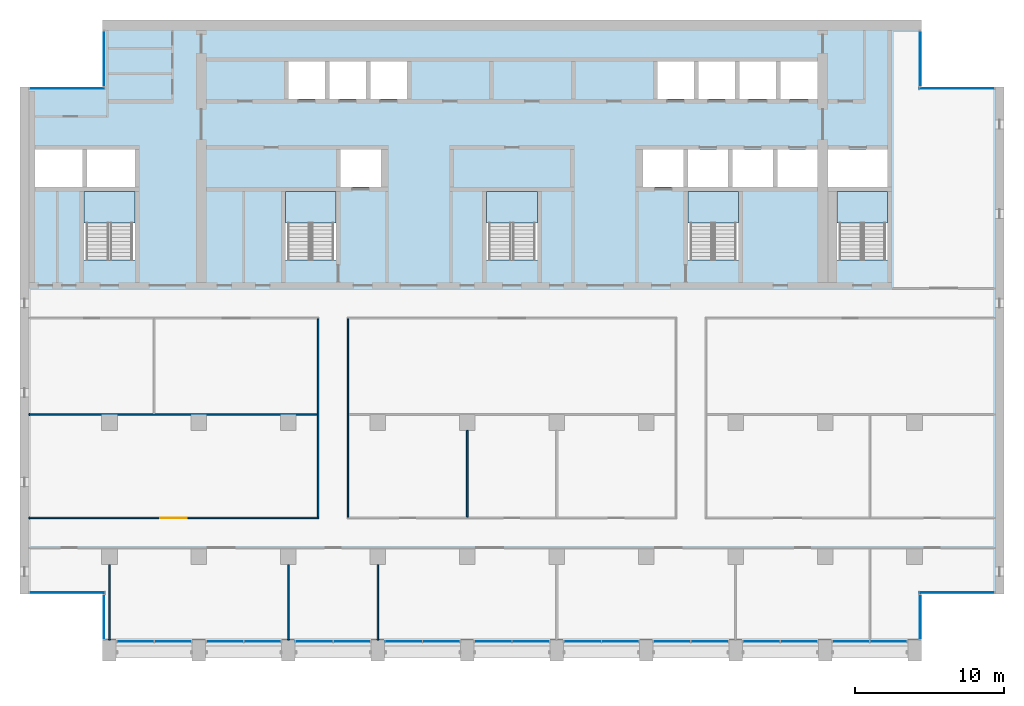
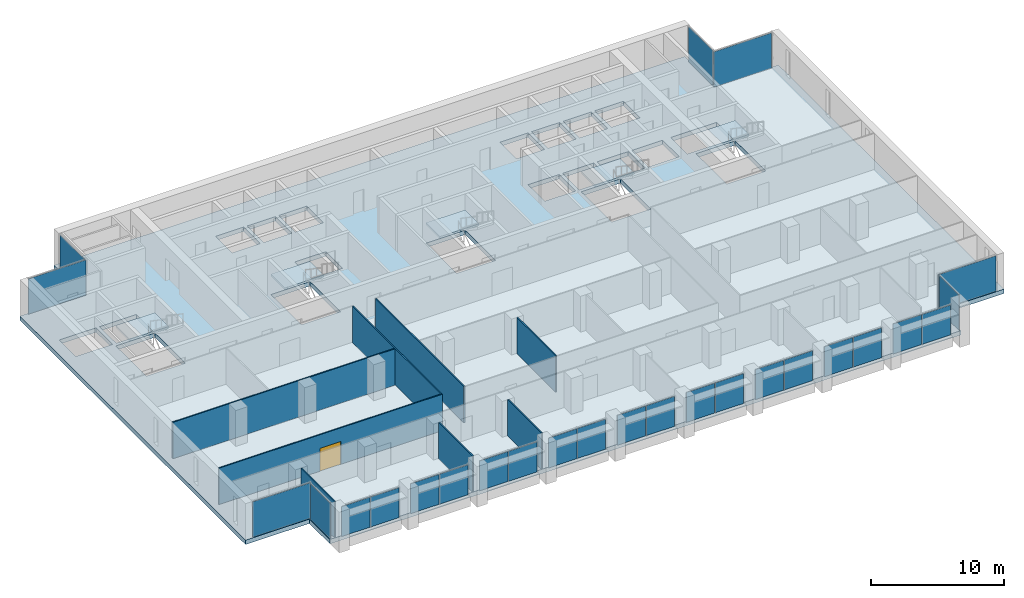
# One storey, part 7 of 17: 26 plates, 8 walls, 6 slabs, 1 door, 1 opening, 22 elements without a shape of their own.
"""IFC4 building model written with IfcOpenShell, lengths in metres."""

from ifc_helpers import new_model, si_unit, direction, frame, frame_2d, origin, origin_2d, place, context, subcontext, project, spatial, polyline, rectangle, outline, extrude, material, layer, layer_set, type_object, element, fill, aggregate, save


model = new_model("IFC4")

# Units and contexts
model_context = context("Model", 3, precision=1e-05, world=origin(), true_north=direction((0.0, 1.0)))
body_context = subcontext(model_context, "Body", "Model", "MODEL_VIEW")
ifc_project = project(units=[si_unit("LENGTHUNIT", "METRE"), si_unit("AREAUNIT", "SQUARE_METRE"), si_unit("VOLUMEUNIT", "CUBIC_METRE"), si_unit("PLANEANGLEUNIT", "RADIAN"), si_unit("MASSUNIT", "GRAM", prefix="KILO")], contexts=[model_context])

# Site, building, storey
site_placement = place(None, origin())
site = spatial("IfcSite", under=ifc_project, at=site_placement, CompositionType="ELEMENT")
building_placement = place(site_placement, origin())
building = spatial("IfcBuilding", under=site, at=building_placement, Name="Calvaro Tower", CompositionType="ELEMENT")
storey_placement = place(building_placement, frame((0.0, 0.0, 204.25)))
storey = spatial("IfcBuildingStorey", under=building, at=storey_placement, Name="L51", CompositionType="ELEMENT", Elevation=204.25)

# Slab
ifc_material_1 = material(Name="Concrete C40/50", Category="concrete")
ifc_layer_1 = layer(ifc_material_1, 0.39990234375)
ifc_layer_set_1 = layer_set([ifc_layer_1], Name="Concrete C40/50")
slab_type_1 = type_object("IfcSlabType", Name="Floor slab 400 C40/50", PredefinedType="FLOOR", material=ifc_layer_set_1)
slab_1_placement = place(storey_placement, frame((0.0, 0.0, -0.39990234375)))
element("IfcSlab", 1, at=slab_1_placement, inside=storey, type_object=slab_type_1, Name="Floor slab", PredefinedType="FLOOR", context=body_context, shape_type="SweptSolid", body=[
    extrude(outline(polyline([(66.449951171875, 7.5), (66.449951171875, 4.39990234375), (11.550048828125, 4.39990234375), (11.550048828125, 7.5), (6.0, 7.5), (6.0, 41.5), (11.550048828125, 41.5), (11.550048828125, 46.0), (66.449951171875, 46.0), (66.449951171875, 41.5), (72.0, 41.5), (72.0, 7.5), (66.449951171875, 7.5)]), holes=[polyline([(10.300048828125, 29.909912109375), (10.300048828125, 34.5), (12.0, 34.5), (13.699951171875, 34.5), (13.699951171875, 29.909912109375), (12.0, 29.909912109375), (10.300048828125, 29.909912109375)]), polyline([(23.800048828125, 29.909912109375), (23.800048828125, 34.5), (25.5, 34.5), (27.199951171875, 34.5), (27.199951171875, 29.909912109375), (25.5, 29.909912109375), (23.800048828125, 29.909912109375)]), polyline([(37.300048828125, 29.909912109375), (37.300048828125, 34.5), (39.0, 34.5), (40.699951171875, 34.5), (40.699951171875, 29.909912109375), (39.0, 29.909912109375), (37.300048828125, 29.909912109375)]), polyline([(50.800048828125, 29.909912109375), (50.800048828125, 34.5), (52.5, 34.5), (54.199951171875, 34.5), (54.199951171875, 29.909912109375), (52.5, 29.909912109375), (50.800048828125, 29.909912109375)]), polyline([(60.800048828125, 29.909912109375), (60.800048828125, 34.5), (62.5, 34.5), (64.199951171875, 34.5), (64.199951171875, 29.909912109375), (62.5, 29.909912109375), (60.800048828125, 29.909912109375)]), polyline([(50.800048828125, 34.800048828125), (53.5, 34.800048828125), (53.5, 37.300048828125), (50.800048828125, 37.300048828125), (50.800048828125, 34.800048828125)]), polyline([(53.800048828125, 34.800048828125), (56.5, 34.800048828125), (56.5, 37.300048828125), (53.800048828125, 37.300048828125), (53.800048828125, 34.800048828125)]), polyline([(56.800048828125, 34.800048828125), (59.5, 34.800048828125), (59.5, 37.300048828125), (56.800048828125, 37.300048828125), (56.800048828125, 34.800048828125)]), polyline([(24.0, 40.699951171875), (26.449951171875, 40.699951171875), (26.449951171875, 43.199951171875), (24.0, 43.199951171875), (24.0, 40.699951171875)]), polyline([(26.75, 40.699951171875), (29.199951171875, 40.699951171875), (29.199951171875, 43.199951171875), (26.75, 43.199951171875), (26.75, 40.699951171875)]), polyline([(29.5, 40.699951171875), (31.949951171875, 40.699951171875), (31.949951171875, 43.199951171875), (29.5, 43.199951171875), (29.5, 40.699951171875)]), polyline([(48.75, 40.699951171875), (51.199951171875, 40.699951171875), (51.199951171875, 43.199951171875), (48.75, 43.199951171875), (48.75, 40.699951171875)]), polyline([(51.5, 40.699951171875), (53.949951171875, 40.699951171875), (53.949951171875, 43.199951171875), (51.5, 43.199951171875), (51.5, 40.699951171875)]), polyline([(54.25, 40.699951171875), (56.699951171875, 40.699951171875), (56.699951171875, 43.199951171875), (54.25, 43.199951171875), (54.25, 40.699951171875)]), polyline([(57.0, 40.699951171875), (59.5, 40.699951171875), (59.5, 43.199951171875), (57.0, 43.199951171875), (57.0, 40.699951171875)]), polyline([(7.0, 34.800048828125), (10.199951171875, 34.800048828125), (10.199951171875, 37.300048828125), (7.0, 37.300048828125), (7.0, 34.800048828125)]), polyline([(10.5, 34.800048828125), (13.699951171875, 34.800048828125), (13.699951171875, 37.300048828125), (10.5, 37.300048828125), (10.5, 34.800048828125)]), polyline([(60.199951171875, 34.800048828125), (64.199951171875, 34.800048828125), (64.199951171875, 37.300048828125), (60.199951171875, 37.300048828125), (60.199951171875, 34.800048828125)]), polyline([(27.5, 34.800048828125), (30.199951171875, 34.800048828125), (30.199951171875, 37.300048828125), (27.5, 37.300048828125), (27.5, 34.800048828125)]), polyline([(47.800048828125, 34.800048828125), (50.5, 34.800048828125), (50.5, 37.300048828125), (47.800048828125, 37.300048828125), (47.800048828125, 34.800048828125)])]), origin(), (0.0, 0.0, 1.0), 0.39990234375),
])

# Curtain wall, plates
ifc_material_2 = material(Name="Anodised aluminium", Category="aluminium")
curtain_wall_type = type_object("IfcCurtainWallType", Name="Office curtain wall, upper zone", PredefinedType="NOTDEFINED", material=ifc_material_2)
curtain_wall_1_placement = place(storey_placement, origin())
curtain_wall_1 = element("IfcCurtainWall", 2, at=curtain_wall_1_placement, inside=storey, type_object=curtain_wall_type, Name="CW3 south curtain wall", PredefinedType="NOTDEFINED")
ifc_material_3 = material(Name="Glass", Category="glass")
ifc_layer_2 = layer(ifc_material_3, 0.035888671875)
ifc_layer_set_2 = layer_set([ifc_layer_2], Name="Glass")
plate_type = type_object("IfcPlateType", Name="Glass panel S3 36", PredefinedType="CURTAIN_PANEL", material=ifc_layer_set_2)
plate_1_placement = place(storey_placement, frame((13.739990234375, 4.31005859375, 0.0), z_axis=(0.0, 0.0, 1.0), x_axis=(1.0, 0.0, 0.0)))
plate_1 = element("IfcPlate", 3, at=plate_1_placement, type_object=plate_type, Name="CW3 glass panel 1.1", PredefinedType="CURTAIN_PANEL", context=body_context, shape_type="SweptSolid", body=[
    extrude(rectangle(XDim=2.4599609375, YDim=0.035888671875, at=origin_2d()), origin(), (0.0, 0.0, 1.0), 2.75),
])
plate_2_placement = place(storey_placement, frame((16.260009765625, 4.31005859375, 0.0), z_axis=(0.0, 0.0, 1.0), x_axis=(1.0, 0.0, 0.0)))
plate_2 = element("IfcPlate", 4, at=plate_2_placement, type_object=plate_type, Name="CW3 glass panel 2.1", PredefinedType="CURTAIN_PANEL", context=body_context, shape_type="SweptSolid", body=[
    extrude(rectangle(XDim=2.4599609375, YDim=0.035888671875, at=origin_2d()), origin(), (0.0, 0.0, 1.0), 2.75),
])
aggregate(curtain_wall_1, [plate_1, plate_2])

curtain_wall_2_placement = place(storey_placement, origin())
curtain_wall_2 = element("IfcCurtainWall", 5, at=curtain_wall_2_placement, inside=storey, type_object=curtain_wall_type, Name="CW3 south curtain wall", PredefinedType="NOTDEFINED")
plate_3_placement = place(storey_placement, frame((19.739990234375, 4.31005859375, 0.0), z_axis=(0.0, 0.0, 1.0), x_axis=(1.0, 0.0, 0.0)))
plate_3 = element("IfcPlate", 6, at=plate_3_placement, type_object=plate_type, Name="CW3 glass panel 1.1", PredefinedType="CURTAIN_PANEL", context=body_context, shape_type="SweptSolid", body=[
    extrude(rectangle(XDim=2.4599609375, YDim=0.035888671875, at=origin_2d()), origin(), (0.0, 0.0, 1.0), 2.75),
])
plate_4_placement = place(storey_placement, frame((22.260009765625, 4.31005859375, 0.0), z_axis=(0.0, 0.0, 1.0), x_axis=(1.0, 0.0, 0.0)))
plate_4 = element("IfcPlate", 7, at=plate_4_placement, type_object=plate_type, Name="CW3 glass panel 2.1", PredefinedType="CURTAIN_PANEL", context=body_context, shape_type="SweptSolid", body=[
    extrude(rectangle(XDim=2.4599609375, YDim=0.035888671875, at=origin_2d()), origin(), (0.0, 0.0, 1.0), 2.75),
])
aggregate(curtain_wall_2, [plate_3, plate_4])

curtain_wall_3_placement = place(storey_placement, origin())
curtain_wall_3 = element("IfcCurtainWall", 8, at=curtain_wall_3_placement, inside=storey, type_object=curtain_wall_type, Name="CW3 south curtain wall", PredefinedType="NOTDEFINED")
plate_5_placement = place(storey_placement, frame((25.739990234375, 4.31005859375, 0.0), z_axis=(0.0, 0.0, 1.0), x_axis=(1.0, 0.0, 0.0)))
plate_5 = element("IfcPlate", 9, at=plate_5_placement, type_object=plate_type, Name="CW3 glass panel 1.1", PredefinedType="CURTAIN_PANEL", context=body_context, shape_type="SweptSolid", body=[
    extrude(rectangle(XDim=2.4599609375, YDim=0.035888671875, at=origin_2d()), origin(), (0.0, 0.0, 1.0), 2.75),
])
plate_6_placement = place(storey_placement, frame((28.260009765625, 4.31005859375, 0.0), z_axis=(0.0, 0.0, 1.0), x_axis=(1.0, 0.0, 0.0)))
plate_6 = element("IfcPlate", 10, at=plate_6_placement, type_object=plate_type, Name="CW3 glass panel 2.1", PredefinedType="CURTAIN_PANEL", context=body_context, shape_type="SweptSolid", body=[
    extrude(rectangle(XDim=2.4599609375, YDim=0.035888671875, at=origin_2d()), origin(), (0.0, 0.0, 1.0), 2.75),
])
aggregate(curtain_wall_3, [plate_5, plate_6])

curtain_wall_4_placement = place(storey_placement, origin())
curtain_wall_4 = element("IfcCurtainWall", 11, at=curtain_wall_4_placement, inside=storey, type_object=curtain_wall_type, Name="CW3 south curtain wall", PredefinedType="NOTDEFINED")
plate_7_placement = place(storey_placement, frame((31.739990234375, 4.31005859375, 0.0), z_axis=(0.0, 0.0, 1.0), x_axis=(1.0, 0.0, 0.0)))
plate_7 = element("IfcPlate", 12, at=plate_7_placement, type_object=plate_type, Name="CW3 glass panel 1.1", PredefinedType="CURTAIN_PANEL", context=body_context, shape_type="SweptSolid", body=[
    extrude(rectangle(XDim=2.4599609375, YDim=0.035888671875, at=origin_2d()), origin(), (0.0, 0.0, 1.0), 2.75),
])
plate_8_placement = place(storey_placement, frame((34.260009765625, 4.31005859375, 0.0), z_axis=(0.0, 0.0, 1.0), x_axis=(1.0, 0.0, 0.0)))
plate_8 = element("IfcPlate", 13, at=plate_8_placement, type_object=plate_type, Name="CW3 glass panel 2.1", PredefinedType="CURTAIN_PANEL", context=body_context, shape_type="SweptSolid", body=[
    extrude(rectangle(XDim=2.4599609375, YDim=0.035888671875, at=origin_2d()), origin(), (0.0, 0.0, 1.0), 2.75),
])
aggregate(curtain_wall_4, [plate_7, plate_8])

curtain_wall_5_placement = place(storey_placement, origin())
curtain_wall_5 = element("IfcCurtainWall", 14, at=curtain_wall_5_placement, inside=storey, type_object=curtain_wall_type, Name="CW3 south curtain wall", PredefinedType="NOTDEFINED")
plate_9_placement = place(storey_placement, frame((37.739990234375, 4.31005859375, 0.0), z_axis=(0.0, 0.0, 1.0), x_axis=(1.0, 0.0, 0.0)))
plate_9 = element("IfcPlate", 15, at=plate_9_placement, type_object=plate_type, Name="CW3 glass panel 1.1", PredefinedType="CURTAIN_PANEL", context=body_context, shape_type="SweptSolid", body=[
    extrude(rectangle(XDim=2.4599609375, YDim=0.035888671875, at=origin_2d()), origin(), (0.0, 0.0, 1.0), 2.75),
])
plate_10_placement = place(storey_placement, frame((40.260009765625, 4.31005859375, 0.0), z_axis=(0.0, 0.0, 1.0), x_axis=(1.0, 0.0, 0.0)))
plate_10 = element("IfcPlate", 16, at=plate_10_placement, type_object=plate_type, Name="CW3 glass panel 2.1", PredefinedType="CURTAIN_PANEL", context=body_context, shape_type="SweptSolid", body=[
    extrude(rectangle(XDim=2.4599609375, YDim=0.035888671875, at=origin_2d()), origin(), (0.0, 0.0, 1.0), 2.75),
])
aggregate(curtain_wall_5, [plate_9, plate_10])

curtain_wall_6_placement = place(storey_placement, origin())
curtain_wall_6 = element("IfcCurtainWall", 17, at=curtain_wall_6_placement, inside=storey, type_object=curtain_wall_type, Name="CW3 south curtain wall", PredefinedType="NOTDEFINED")
plate_11_placement = place(storey_placement, frame((43.739990234375, 4.31005859375, 0.0), z_axis=(0.0, 0.0, 1.0), x_axis=(1.0, 0.0, 0.0)))
plate_11 = element("IfcPlate", 18, at=plate_11_placement, type_object=plate_type, Name="CW3 glass panel 1.1", PredefinedType="CURTAIN_PANEL", context=body_context, shape_type="SweptSolid", body=[
    extrude(rectangle(XDim=2.4599609375, YDim=0.035888671875, at=origin_2d()), origin(), (0.0, 0.0, 1.0), 2.75),
])
plate_12_placement = place(storey_placement, frame((46.260009765625, 4.31005859375, 0.0), z_axis=(0.0, 0.0, 1.0), x_axis=(1.0, 0.0, 0.0)))
plate_12 = element("IfcPlate", 19, at=plate_12_placement, type_object=plate_type, Name="CW3 glass panel 2.1", PredefinedType="CURTAIN_PANEL", context=body_context, shape_type="SweptSolid", body=[
    extrude(rectangle(XDim=2.4599609375, YDim=0.035888671875, at=origin_2d()), origin(), (0.0, 0.0, 1.0), 2.75),
])
aggregate(curtain_wall_6, [plate_11, plate_12])

curtain_wall_7_placement = place(storey_placement, origin())
curtain_wall_7 = element("IfcCurtainWall", 20, at=curtain_wall_7_placement, inside=storey, type_object=curtain_wall_type, Name="CW3 south curtain wall", PredefinedType="NOTDEFINED")
plate_13_placement = place(storey_placement, frame((49.739990234375, 4.31005859375, 0.0), z_axis=(0.0, 0.0, 1.0), x_axis=(1.0, 0.0, 0.0)))
plate_13 = element("IfcPlate", 21, at=plate_13_placement, type_object=plate_type, Name="CW3 glass panel 1.1", PredefinedType="CURTAIN_PANEL", context=body_context, shape_type="SweptSolid", body=[
    extrude(rectangle(XDim=2.4599609375, YDim=0.035888671875, at=origin_2d()), origin(), (0.0, 0.0, 1.0), 2.75),
])
plate_14_placement = place(storey_placement, frame((52.260009765625, 4.31005859375, 0.0), z_axis=(0.0, 0.0, 1.0), x_axis=(1.0, 0.0, 0.0)))
plate_14 = element("IfcPlate", 22, at=plate_14_placement, type_object=plate_type, Name="CW3 glass panel 2.1", PredefinedType="CURTAIN_PANEL", context=body_context, shape_type="SweptSolid", body=[
    extrude(rectangle(XDim=2.4599609375, YDim=0.035888671875, at=origin_2d()), origin(), (0.0, 0.0, 1.0), 2.75),
])
aggregate(curtain_wall_7, [plate_13, plate_14])

curtain_wall_8_placement = place(storey_placement, origin())
curtain_wall_8 = element("IfcCurtainWall", 23, at=curtain_wall_8_placement, inside=storey, type_object=curtain_wall_type, Name="CW3 south curtain wall", PredefinedType="NOTDEFINED")
plate_15_placement = place(storey_placement, frame((55.739990234375, 4.31005859375, 0.0), z_axis=(0.0, 0.0, 1.0), x_axis=(1.0, 0.0, 0.0)))
plate_15 = element("IfcPlate", 24, at=plate_15_placement, type_object=plate_type, Name="CW3 glass panel 1.1", PredefinedType="CURTAIN_PANEL", context=body_context, shape_type="SweptSolid", body=[
    extrude(rectangle(XDim=2.4599609375, YDim=0.035888671875, at=origin_2d()), origin(), (0.0, 0.0, 1.0), 2.75),
])
plate_16_placement = place(storey_placement, frame((58.260009765625, 4.31005859375, 0.0), z_axis=(0.0, 0.0, 1.0), x_axis=(1.0, 0.0, 0.0)))
plate_16 = element("IfcPlate", 25, at=plate_16_placement, type_object=plate_type, Name="CW3 glass panel 2.1", PredefinedType="CURTAIN_PANEL", context=body_context, shape_type="SweptSolid", body=[
    extrude(rectangle(XDim=2.4599609375, YDim=0.035888671875, at=origin_2d()), origin(), (0.0, 0.0, 1.0), 2.75),
])
aggregate(curtain_wall_8, [plate_15, plate_16])

curtain_wall_9_placement = place(storey_placement, origin())
curtain_wall_9 = element("IfcCurtainWall", 26, at=curtain_wall_9_placement, inside=storey, type_object=curtain_wall_type, Name="CW3 south curtain wall", PredefinedType="NOTDEFINED")
plate_17_placement = place(storey_placement, frame((61.739990234375, 4.31005859375, 0.0), z_axis=(0.0, 0.0, 1.0), x_axis=(1.0, 0.0, 0.0)))
plate_17 = element("IfcPlate", 27, at=plate_17_placement, type_object=plate_type, Name="CW3 glass panel 1.1", PredefinedType="CURTAIN_PANEL", context=body_context, shape_type="SweptSolid", body=[
    extrude(rectangle(XDim=2.4599609375, YDim=0.035888671875, at=origin_2d()), origin(), (0.0, 0.0, 1.0), 2.75),
])
plate_18_placement = place(storey_placement, frame((64.260009765625, 4.31005859375, 0.0), z_axis=(0.0, 0.0, 1.0), x_axis=(1.0, 0.0, 0.0)))
plate_18 = element("IfcPlate", 28, at=plate_18_placement, type_object=plate_type, Name="CW3 glass panel 2.1", PredefinedType="CURTAIN_PANEL", context=body_context, shape_type="SweptSolid", body=[
    extrude(rectangle(XDim=2.4599609375, YDim=0.035888671875, at=origin_2d()), origin(), (0.0, 0.0, 1.0), 2.75),
])
aggregate(curtain_wall_9, [plate_17, plate_18])

# Curtain wall, plate
curtain_wall_10_placement = place(storey_placement, origin())
curtain_wall_10 = element("IfcCurtainWall", 29, at=curtain_wall_10_placement, inside=storey, type_object=curtain_wall_type, Name="CW3 corner curtain wall", PredefinedType="NOTDEFINED")
plate_19_placement = place(storey_placement, frame((11.639892578125, 5.949951171875, 0.0), z_axis=(0.0, 0.0, 1.0), x_axis=(0.0, 1.0, 0.0)))
plate_19 = element("IfcPlate", 30, at=plate_19_placement, type_object=plate_type, Name="CW3 glass panel 1.1", PredefinedType="CURTAIN_PANEL", context=body_context, shape_type="SweptSolid", body=[
    extrude(rectangle(XDim=2.97998046875, YDim=0.035888671875, at=origin_2d()), origin(), (0.0, 0.0, 1.0), 3.25),
])
aggregate(curtain_wall_10, [plate_19])

curtain_wall_11_placement = place(storey_placement, origin())
curtain_wall_11 = element("IfcCurtainWall", 31, at=curtain_wall_11_placement, inside=storey, type_object=curtain_wall_type, Name="CW3 corner curtain wall", PredefinedType="NOTDEFINED")
plate_20_placement = place(storey_placement, frame((9.1650390625, 7.590087890625, 0.0), z_axis=(0.0, 0.0, 1.0), x_axis=(1.0, 0.0, 0.0)))
plate_20 = element("IfcPlate", 32, at=plate_20_placement, type_object=plate_type, Name="CW3 glass panel 1.1", PredefinedType="CURTAIN_PANEL", context=body_context, shape_type="SweptSolid", body=[
    extrude(rectangle(XDim=5.010009765625, YDim=0.035888671875, at=origin_2d()), origin(), (0.0, 0.0, 1.0), 3.25),
])
aggregate(curtain_wall_11, [plate_20])

curtain_wall_12_placement = place(storey_placement, origin())
curtain_wall_12 = element("IfcCurtainWall", 33, at=curtain_wall_12_placement, inside=storey, type_object=curtain_wall_type, Name="CW3 corner curtain wall", PredefinedType="NOTDEFINED")
plate_21_placement = place(storey_placement, frame((11.639892578125, 43.39990234375, 0.0), z_axis=(0.0, 0.0, 1.0), x_axis=(0.0, 1.0, 0.0)))
plate_21 = element("IfcPlate", 34, at=plate_21_placement, type_object=plate_type, Name="CW3 glass panel 1.1", PredefinedType="CURTAIN_PANEL", context=body_context, shape_type="SweptSolid", body=[
    extrude(rectangle(XDim=3.679931640625, YDim=0.035888671875, at=origin_2d()), origin(), (0.0, 0.0, 1.0), 3.25),
])
aggregate(curtain_wall_12, [plate_21])

curtain_wall_13_placement = place(storey_placement, origin())
curtain_wall_13 = element("IfcCurtainWall", 35, at=curtain_wall_13_placement, inside=storey, type_object=curtain_wall_type, Name="CW3 corner curtain wall", PredefinedType="NOTDEFINED")
plate_22_placement = place(storey_placement, frame((9.1650390625, 41.409912109375, 0.0), z_axis=(0.0, 0.0, 1.0), x_axis=(1.0, 0.0, 0.0)))
plate_22 = element("IfcPlate", 36, at=plate_22_placement, type_object=plate_type, Name="CW3 glass panel 1.1", PredefinedType="CURTAIN_PANEL", context=body_context, shape_type="SweptSolid", body=[
    extrude(rectangle(XDim=5.010009765625, YDim=0.035888671875, at=origin_2d()), origin(), (0.0, 0.0, 1.0), 3.25),
])
aggregate(curtain_wall_13, [plate_22])

curtain_wall_14_placement = place(storey_placement, origin())
curtain_wall_14 = element("IfcCurtainWall", 37, at=curtain_wall_14_placement, inside=storey, type_object=curtain_wall_type, Name="CW3 corner curtain wall", PredefinedType="NOTDEFINED")
plate_23_placement = place(storey_placement, frame((66.360107421875, 5.949951171875, 0.0), z_axis=(0.0, 0.0, 1.0), x_axis=(0.0, 1.0, 0.0)))
plate_23 = element("IfcPlate", 38, at=plate_23_placement, type_object=plate_type, Name="CW3 glass panel 1.1", PredefinedType="CURTAIN_PANEL", context=body_context, shape_type="SweptSolid", body=[
    extrude(rectangle(XDim=2.97998046875, YDim=0.035888671875, at=origin_2d()), origin(), (0.0, 0.0, 1.0), 3.25),
])
aggregate(curtain_wall_14, [plate_23])

curtain_wall_15_placement = place(storey_placement, origin())
curtain_wall_15 = element("IfcCurtainWall", 39, at=curtain_wall_15_placement, inside=storey, type_object=curtain_wall_type, Name="CW3 corner curtain wall", PredefinedType="NOTDEFINED")
plate_24_placement = place(storey_placement, frame((68.8349609375, 7.590087890625, 0.0), z_axis=(0.0, 0.0, 1.0), x_axis=(1.0, 0.0, 0.0)))
plate_24 = element("IfcPlate", 40, at=plate_24_placement, type_object=plate_type, Name="CW3 glass panel 1.1", PredefinedType="CURTAIN_PANEL", context=body_context, shape_type="SweptSolid", body=[
    extrude(rectangle(XDim=5.010009765625, YDim=0.035888671875, at=origin_2d()), origin(), (0.0, 0.0, 1.0), 3.25),
])
aggregate(curtain_wall_15, [plate_24])

curtain_wall_16_placement = place(storey_placement, origin())
curtain_wall_16 = element("IfcCurtainWall", 41, at=curtain_wall_16_placement, inside=storey, type_object=curtain_wall_type, Name="CW3 corner curtain wall", PredefinedType="NOTDEFINED")
plate_25_placement = place(storey_placement, frame((66.360107421875, 43.39990234375, 0.0), z_axis=(0.0, 0.0, 1.0), x_axis=(0.0, 1.0, 0.0)))
plate_25 = element("IfcPlate", 42, at=plate_25_placement, type_object=plate_type, Name="CW3 glass panel 1.1", PredefinedType="CURTAIN_PANEL", context=body_context, shape_type="SweptSolid", body=[
    extrude(rectangle(XDim=3.679931640625, YDim=0.035888671875, at=origin_2d()), origin(), (0.0, 0.0, 1.0), 3.25),
])
aggregate(curtain_wall_16, [plate_25])

curtain_wall_17_placement = place(storey_placement, origin())
curtain_wall_17 = element("IfcCurtainWall", 43, at=curtain_wall_17_placement, inside=storey, type_object=curtain_wall_type, Name="CW3 corner curtain wall", PredefinedType="NOTDEFINED")
plate_26_placement = place(storey_placement, frame((68.8349609375, 41.409912109375, 0.0), z_axis=(0.0, 0.0, 1.0), x_axis=(1.0, 0.0, 0.0)))
plate_26 = element("IfcPlate", 44, at=plate_26_placement, type_object=plate_type, Name="CW3 glass panel 1.1", PredefinedType="CURTAIN_PANEL", context=body_context, shape_type="SweptSolid", body=[
    extrude(rectangle(XDim=5.010009765625, YDim=0.035888671875, at=origin_2d()), origin(), (0.0, 0.0, 1.0), 3.25),
])
aggregate(curtain_wall_17, [plate_26])

# Stair, slab
ifc_material_4 = material(Name="Concrete C40/50", Category="concrete")
stair_type = type_object("IfcStairType", Name="Exit stair 1400 2 flights", PredefinedType="HALF_TURN_STAIR", material=ifc_material_4)
stair_1_placement = place(storey_placement, origin())
stair_1 = element("IfcStair", 45, at=stair_1_placement, inside=storey, type_object=stair_type, Name="Exit stair S1", PredefinedType="HALF_TURN_STAIR")
ifc_material_5 = material(Name="Concrete C40/50", Category="concrete")
ifc_layer_3 = layer(ifc_material_5, 0.199951171875)
ifc_layer_set_3 = layer_set([ifc_layer_3], Name="Concrete C40/50")
slab_type_2 = type_object("IfcSlabType", Name="Stair landing", PredefinedType="LANDING", material=ifc_layer_set_3)
slab_2_placement = place(storey_placement, frame((0.0, 0.0, 1.675048828125)))
slab_2 = element("IfcSlab", 46, at=slab_2_placement, type_object=slab_type_2, Name="Exit stair 1, landing 1", PredefinedType="LANDING", context=body_context, shape_type="SweptSolid", body=[
    extrude(outline(polyline([(11.89990234375, 32.389892578125), (10.5, 32.389892578125), (10.5, 32.39990234375), (10.300048828125, 32.39990234375), (10.300048828125, 34.5), (10.5, 34.5), (11.89990234375, 34.5), (12.10009765625, 34.5), (13.5, 34.5), (13.699951171875, 34.5), (13.699951171875, 32.39990234375), (13.5, 32.39990234375), (13.5, 32.389892578125), (12.10009765625, 32.389892578125), (12.10009765625, 32.39990234375), (11.89990234375, 32.39990234375), (11.89990234375, 32.389892578125)])), origin(), (0.0, 0.0, 1.0), 0.199951171875),
])
aggregate(stair_1, [slab_2])

stair_2_placement = place(storey_placement, origin())
stair_2 = element("IfcStair", 47, at=stair_2_placement, inside=storey, type_object=stair_type, Name="Exit stair S2", PredefinedType="HALF_TURN_STAIR")
slab_3_placement = place(storey_placement, frame((0.0, 0.0, 1.675048828125)))
slab_3 = element("IfcSlab", 48, at=slab_3_placement, type_object=slab_type_2, Name="Exit stair 2, landing 1", PredefinedType="LANDING", context=body_context, shape_type="SweptSolid", body=[
    extrude(outline(polyline([(25.39990234375, 32.389892578125), (24.0, 32.389892578125), (24.0, 32.39990234375), (23.800048828125, 32.39990234375), (23.800048828125, 34.5), (24.0, 34.5), (25.39990234375, 34.5), (25.60009765625, 34.5), (27.0, 34.5), (27.199951171875, 34.5), (27.199951171875, 32.39990234375), (27.0, 32.39990234375), (27.0, 32.389892578125), (25.60009765625, 32.389892578125), (25.60009765625, 32.39990234375), (25.39990234375, 32.39990234375), (25.39990234375, 32.389892578125)])), origin(), (0.0, 0.0, 1.0), 0.199951171875),
])
aggregate(stair_2, [slab_3])

stair_3_placement = place(storey_placement, origin())
stair_3 = element("IfcStair", 49, at=stair_3_placement, inside=storey, type_object=stair_type, Name="Exit stair S3", PredefinedType="HALF_TURN_STAIR")
slab_4_placement = place(storey_placement, frame((0.0, 0.0, 1.675048828125)))
slab_4 = element("IfcSlab", 50, at=slab_4_placement, type_object=slab_type_2, Name="Exit stair 3, landing 1", PredefinedType="LANDING", context=body_context, shape_type="SweptSolid", body=[
    extrude(outline(polyline([(38.89990234375, 32.389892578125), (37.5, 32.389892578125), (37.5, 32.39990234375), (37.300048828125, 32.39990234375), (37.300048828125, 34.5), (37.5, 34.5), (38.89990234375, 34.5), (39.10009765625, 34.5), (40.5, 34.5), (40.699951171875, 34.5), (40.699951171875, 32.39990234375), (40.5, 32.39990234375), (40.5, 32.389892578125), (39.10009765625, 32.389892578125), (39.10009765625, 32.39990234375), (38.89990234375, 32.39990234375), (38.89990234375, 32.389892578125)])), origin(), (0.0, 0.0, 1.0), 0.199951171875),
])
aggregate(stair_3, [slab_4])

stair_4_placement = place(storey_placement, origin())
stair_4 = element("IfcStair", 51, at=stair_4_placement, inside=storey, type_object=stair_type, Name="Exit stair S4", PredefinedType="HALF_TURN_STAIR")
slab_5_placement = place(storey_placement, frame((0.0, 0.0, 1.675048828125)))
slab_5 = element("IfcSlab", 52, at=slab_5_placement, type_object=slab_type_2, Name="Exit stair 4, landing 1", PredefinedType="LANDING", context=body_context, shape_type="SweptSolid", body=[
    extrude(outline(polyline([(52.39990234375, 32.389892578125), (51.0, 32.389892578125), (51.0, 32.39990234375), (50.800048828125, 32.39990234375), (50.800048828125, 34.5), (51.0, 34.5), (52.39990234375, 34.5), (52.60009765625, 34.5), (54.0, 34.5), (54.199951171875, 34.5), (54.199951171875, 32.39990234375), (54.0, 32.39990234375), (54.0, 32.389892578125), (52.60009765625, 32.389892578125), (52.60009765625, 32.39990234375), (52.39990234375, 32.39990234375), (52.39990234375, 32.389892578125)])), origin(), (0.0, 0.0, 1.0), 0.199951171875),
])
aggregate(stair_4, [slab_5])

stair_5_placement = place(storey_placement, origin())
stair_5 = element("IfcStair", 53, at=stair_5_placement, inside=storey, type_object=stair_type, Name="Exit stair S5", PredefinedType="HALF_TURN_STAIR")
slab_6_placement = place(storey_placement, frame((0.0, 0.0, 1.675048828125)))
slab_6 = element("IfcSlab", 54, at=slab_6_placement, type_object=slab_type_2, Name="Exit stair 5, landing 1", PredefinedType="LANDING", context=body_context, shape_type="SweptSolid", body=[
    extrude(outline(polyline([(62.39990234375, 32.389892578125), (61.0, 32.389892578125), (61.0, 32.39990234375), (60.800048828125, 32.39990234375), (60.800048828125, 34.5), (61.0, 34.5), (62.39990234375, 34.5), (62.60009765625, 34.5), (64.0, 34.5), (64.199951171875, 34.5), (64.199951171875, 32.39990234375), (64.0, 32.39990234375), (64.0, 32.389892578125), (62.60009765625, 32.389892578125), (62.60009765625, 32.39990234375), (62.39990234375, 32.39990234375), (62.39990234375, 32.389892578125)])), origin(), (0.0, 0.0, 1.0), 0.199951171875),
])
aggregate(stair_5, [slab_6])

# Wall, opening, door
ifc_material_6 = material(Name="Plasterboard on steel studs", Category="steel")
ifc_layer_4 = layer(ifc_material_6, 0.10009765625)
ifc_layer_set_4 = layer_set([ifc_layer_4], Name="Plasterboard on steel studs")
wall_type = type_object("IfcWallType", Name="Partition 100", PredefinedType="PARTITIONING", material=ifc_layer_set_4)
wall_1_placement = place(storey_placement, frame((6.60009765625, 12.60009765625, 0.0), z_axis=(0.0, 0.0, 1.0), x_axis=(1.0, 0.0, 0.0)))
wall_1 = element("IfcWall", 55, at=wall_1_placement, inside=storey, type_object=wall_type, Name="Partition T29.W002", PredefinedType="PARTITIONING", context=body_context, shape_type="SweptSolid", body=[
    extrude(rectangle(XDim=19.449951171875, YDim=0.10009765625, at=frame_2d((9.72509765625, 0.0))), origin(), (0.0, 0.0, 1.0), 3.35009765625),
])
opening_placement = place(wall_1_placement, frame((8.800048828125, 0.0, 0.0)))
opening = element("IfcOpeningElement", 56, at=opening_placement, cuts=wall_1, Name="Opening T29.008", PredefinedType="OPENING", context=body_context, shape_type="SweptSolid", body=[
    extrude(rectangle(XDim=1.800048828125, YDim=2.10009765625, at=frame_2d((0.89990234375, 1.050048828125))), frame((0.0, 0.06005859375, 0.0), z_axis=(0.0, -1.0, 0.0), x_axis=(1.0, 0.0, 0.0)), (0.0, 0.0, 1.0), 0.1201171875),
])
ifc_material_7 = material(Name="Timber", Category="wood")
door_type = type_object("IfcDoorType", Name="Internal double door 1800 x 2100", OperationType="DOUBLE_DOOR_SINGLE_SWING", PredefinedType="DOOR", material=ifc_material_7)
door_placement = place(opening_placement, origin())
door = element("IfcDoor", 57, at=door_placement, inside=storey, type_object=door_type, Name="Door T29.008", OperationType="DOUBLE_DOOR_SINGLE_SWING", OverallHeight=2.10009765625, OverallWidth=1.800048828125, PredefinedType="DOOR", context=body_context, shape_type="SweptSolid", body=[
    extrude(rectangle(XDim=1.800048828125, YDim=2.10009765625, at=frame_2d((0.89990234375, 1.050048828125))), frame((0.0, 0.02490234375, 0.0), z_axis=(0.0, -1.0, 0.0), x_axis=(1.0, 0.0, 0.0)), (0.0, 0.0, 1.0), 0.050048828125),
])
fill(opening, door)

# Walls
wall_2_placement = place(storey_placement, frame((6.60009765625, 19.550048828125, 0.0), z_axis=(0.0, 0.0, 1.0), x_axis=(1.0, 0.0, 0.0)))
element("IfcWall", 58, at=wall_2_placement, inside=storey, type_object=wall_type, Name="Partition T29.W005", PredefinedType="PARTITIONING", context=body_context, shape_type="SweptSolid", body=[
    extrude(rectangle(XDim=19.349853515625, YDim=0.10009765625, at=frame_2d((9.6748046875, 0.0))), origin(), (0.0, 0.0, 1.0), 3.35009765625),
])
for number, where, z_axis, x_axis, name in (
    (59, (12.0, 4.39990234375, 0.0), (0.0, 0.0, 1.0), (0.0, 1.0, 0.0), "Partition T29.W012"),
    (60, (24.0, 4.39990234375, 0.0), (0.0, 0.0, 1.0), (0.0, 1.0, 0.0), "Partition T29.W014"),
):
    element("IfcWall", number, at=place(storey_placement, frame(where, z_axis=z_axis, x_axis=x_axis)), inside=storey, type_object=wall_type, Name=name, PredefinedType="PARTITIONING", context=body_context, shape_type="SweptSolid", body=[
        extrude(rectangle(XDim=5.0751953125, YDim=0.10009765625, at=frame_2d((2.53759765625, 0.0))), origin(), (0.0, 0.0, 1.0), 3.35009765625),
    ])
for number, where, z_axis, x_axis, name in (
    (61, (26.0, 12.64990234375, 0.0), (0.0, 0.0, 1.0), (0.0, 1.0, 0.0), "Partition T29.W015"),
    (62, (28.0, 12.64990234375, 0.0), (0.0, 0.0, 1.0), (0.0, 1.0, 0.0), "Partition T29.W016"),
):
    element("IfcWall", number, at=place(storey_placement, frame(where, z_axis=z_axis, x_axis=x_axis)), inside=storey, type_object=wall_type, Name=name, PredefinedType="PARTITIONING", context=body_context, shape_type="SweptSolid", body=[
        extrude(rectangle(XDim=13.300048828125, YDim=0.10009765625, at=frame_2d((6.64990234375, 0.0))), origin(), (0.0, 0.0, 1.0), 3.35009765625),
    ])
wall_3_placement = place(storey_placement, frame((30.0, 4.39990234375, 0.0), z_axis=(0.0, 0.0, 1.0), x_axis=(0.0, 1.0, 0.0)))
element("IfcWall", 63, at=wall_3_placement, inside=storey, type_object=wall_type, Name="Partition T29.W017", PredefinedType="PARTITIONING", context=body_context, shape_type="SweptSolid", body=[
    extrude(rectangle(XDim=5.0751953125, YDim=0.10009765625, at=frame_2d((2.53759765625, 0.0))), origin(), (0.0, 0.0, 1.0), 3.35009765625),
])
wall_4_placement = place(storey_placement, frame((36.0, 12.64990234375, 0.0), z_axis=(0.0, 0.0, 1.0), x_axis=(0.0, 1.0, 0.0)))
element("IfcWall", 64, at=wall_4_placement, inside=storey, type_object=wall_type, Name="Partition T29.W018", PredefinedType="PARTITIONING", context=body_context, shape_type="SweptSolid", body=[
    extrude(rectangle(XDim=5.8251953125, YDim=0.10009765625, at=frame_2d((2.91259765625, 0.0))), origin(), (0.0, 0.0, 1.0), 3.35009765625),
])

save(model, "model.ifc")
